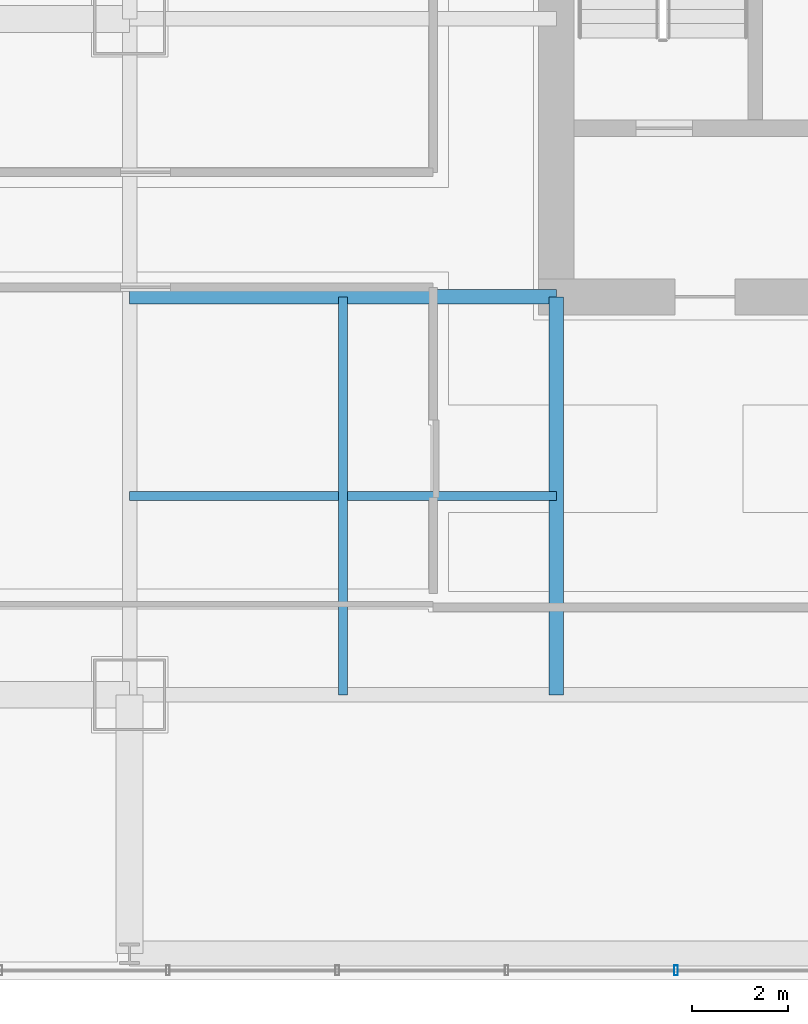
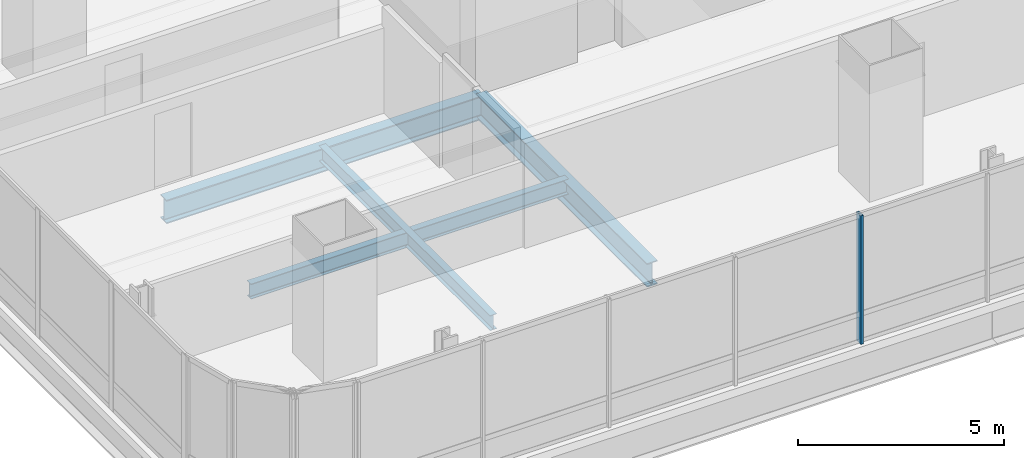
# One storey, part 5 of 35: 4 beams, 1 member, 1 element without a shape of its own.
"""IFC4 building model written with IfcOpenShell, lengths in metres."""

from ifc_helpers import new_model, si_unit, direction, frame, origin, origin_2d, place, context, subcontext, project, spatial, hollow_rectangle, i_section, extrude, material, material_profile, profile_set, type_object, element, aggregate, save


model = new_model("IFC4")

# Units and contexts
model_context = context("Model", 3, precision=1e-05, world=origin(), true_north=direction((0.0, 1.0)))
body_context = subcontext(model_context, "Body", "Model", "MODEL_VIEW")
ifc_project = project(units=[si_unit("LENGTHUNIT", "METRE"), si_unit("AREAUNIT", "SQUARE_METRE"), si_unit("VOLUMEUNIT", "CUBIC_METRE"), si_unit("PLANEANGLEUNIT", "RADIAN"), si_unit("MASSUNIT", "GRAM", prefix="KILO")], contexts=[model_context])

# Site, building, storey
site_placement = place(None, origin())
site = spatial("IfcSite", under=ifc_project, at=site_placement, CompositionType="ELEMENT")
building_placement = place(site_placement, origin())
building = spatial("IfcBuilding", under=site, at=building_placement, Name="Punatoya Terracotta Tower", CompositionType="ELEMENT")
storey_placement = place(building_placement, frame((0.0, 0.0, 52.5)))
storey = spatial("IfcBuildingStorey", under=building, at=storey_placement, Name="L11", CompositionType="ELEMENT", Elevation=52.5)

# Beams
ifc_material_1 = material(Name="Steel S355", Category="steel")
ifc_material_profile_1 = material_profile(ifc_material_1, i_section(OverallWidth=0.300048828125, OverallDepth=0.699951171875, WebThickness=0.01708984375, FlangeThickness=0.031982421875, FilletRadius=0.01806640625, at=origin_2d()))
ifc_profile_set_1 = profile_set([ifc_material_profile_1], Name="Steel S355")
beam_type_1 = type_object("IfcBeamType", Name="BM-PRI-700", PredefinedType="BEAM", material=ifc_profile_set_1)
beam_1_placement = place(storey_placement, frame((-19.10009765625, -9.199951171875, -0.590087890625), z_axis=(1.0, 0.0, 0.0), x_axis=(0.0, 1.0, 0.0)))
element("IfcBeam", 1, at=beam_1_placement, inside=storey, type_object=beam_type_1, Name="BM-L11-PR-WS", PredefinedType="BEAM", context=body_context, shape_type="SweptSolid", body=[
    extrude(i_section(OverallWidth=0.300048828125, OverallDepth=0.699951171875, WebThickness=0.01708984375, FlangeThickness=0.031982421875, FilletRadius=0.01806640625, at=origin_2d()), origin(), (0.0, 0.0, 1.0), 8.900146484375),
])
beam_2_placement = place(storey_placement, frame((-10.199951171875, -17.5, -0.590087890625), z_axis=(0.0, 1.0, 0.0), x_axis=(-1.0, 0.0, 0.0)))
element("IfcBeam", 2, at=beam_2_placement, inside=storey, type_object=beam_type_1, Name="BM-L11-PR-S1", PredefinedType="BEAM", context=body_context, shape_type="SweptSolid", body=[
    extrude(i_section(OverallWidth=0.300048828125, OverallDepth=0.699951171875, WebThickness=0.01708984375, FlangeThickness=0.031982421875, FilletRadius=0.01806640625, at=origin_2d()), origin(), (0.0, 0.0, 1.0), 8.300048828125),
])
ifc_material_profile_2 = material_profile(ifc_material_1, i_section(OverallWidth=0.18994140625, OverallDepth=0.449951171875, WebThickness=0.009521484375, FlangeThickness=0.0146484375, FilletRadius=0.01806640625, at=origin_2d()))
ifc_profile_set_2 = profile_set([ifc_material_profile_2], Name="Steel S355")
beam_type_2 = type_object("IfcBeamType", Name="BM-SEC-450", PredefinedType="JOIST", material=ifc_profile_set_2)
beam_3_placement = place(storey_placement, frame((-19.10009765625, -13.35009765625, -0.465087890625), z_axis=(1.0, 0.0, 0.0), x_axis=(0.0, 1.0, 0.0)))
element("IfcBeam", 3, at=beam_3_placement, inside=storey, type_object=beam_type_2, Name="BM-L11-SJS-1", PredefinedType="JOIST", context=body_context, shape_type="SweptSolid", body=[
    extrude(i_section(OverallWidth=0.18994140625, OverallDepth=0.449951171875, WebThickness=0.009521484375, FlangeThickness=0.0146484375, FilletRadius=0.01806640625, at=origin_2d()), origin(), (0.0, 0.0, 1.0), 8.900146484375),
])
beam_4_placement = place(storey_placement, frame((-14.64990234375, -17.5, -0.465087890625), z_axis=(0.0, 1.0, 0.0), x_axis=(-1.0, 0.0, 0.0)))
element("IfcBeam", 4, at=beam_4_placement, inside=storey, type_object=beam_type_2, Name="BM-L11-SJW-1", PredefinedType="JOIST", context=body_context, shape_type="SweptSolid", body=[
    extrude(i_section(OverallWidth=0.18994140625, OverallDepth=0.449951171875, WebThickness=0.009521484375, FlangeThickness=0.0146484375, FilletRadius=0.01806640625, at=origin_2d()), origin(), (0.0, 0.0, 1.0), 8.300048828125),
])

# Curtain wall, member
ifc_material_2 = material(Name="Aluminium 6063-T6 + Double Low-E Glass", Category="aluminium")
curtain_wall_type = type_object("IfcCurtainWallType", Name="CW-M1", PredefinedType="NOTDEFINED", material=ifc_material_2)
curtain_wall_placement = place(storey_placement, origin())
curtain_wall = element("IfcCurtainWall", 5, at=curtain_wall_placement, inside=storey, type_object=curtain_wall_type, Name="L11 Curtain Wall CW-L11-S01-1", PredefinedType="NOTDEFINED")
ifc_material_3 = material(Name="Aluminium 6063-T6", Category="aluminium")
ifc_material_profile_3 = material_profile(ifc_material_3, hollow_rectangle(XDim=0.074951171875, YDim=0.2099609375, WallThickness=0.00439453125, at=origin_2d()))
ifc_profile_set_3 = profile_set([ifc_material_profile_3], Name="Aluminium 6063-T6")
member_type = type_object("IfcMemberType", Name="CW-MUL-M1", PredefinedType="MULLION", material=ifc_profile_set_3)
member_placement = place(storey_placement, frame((-7.700927734375, -23.25, 0.0), z_axis=(0.0, 0.0, 1.0), x_axis=(1.0, 0.0, 0.0)))
member = element("IfcMember", 6, at=member_placement, type_object=member_type, Name="CW-L11-S01-1 Mullion 04", PredefinedType="MULLION", context=body_context, shape_type="SweptSolid", body=[
    extrude(hollow_rectangle(XDim=0.074951171875, YDim=0.2099609375, WallThickness=0.00439453125, at=origin_2d()), origin(), (0.0, 0.0, 1.0), 3.81005859375),
])
aggregate(curtain_wall, [member])

save(model, "model.ifc")
